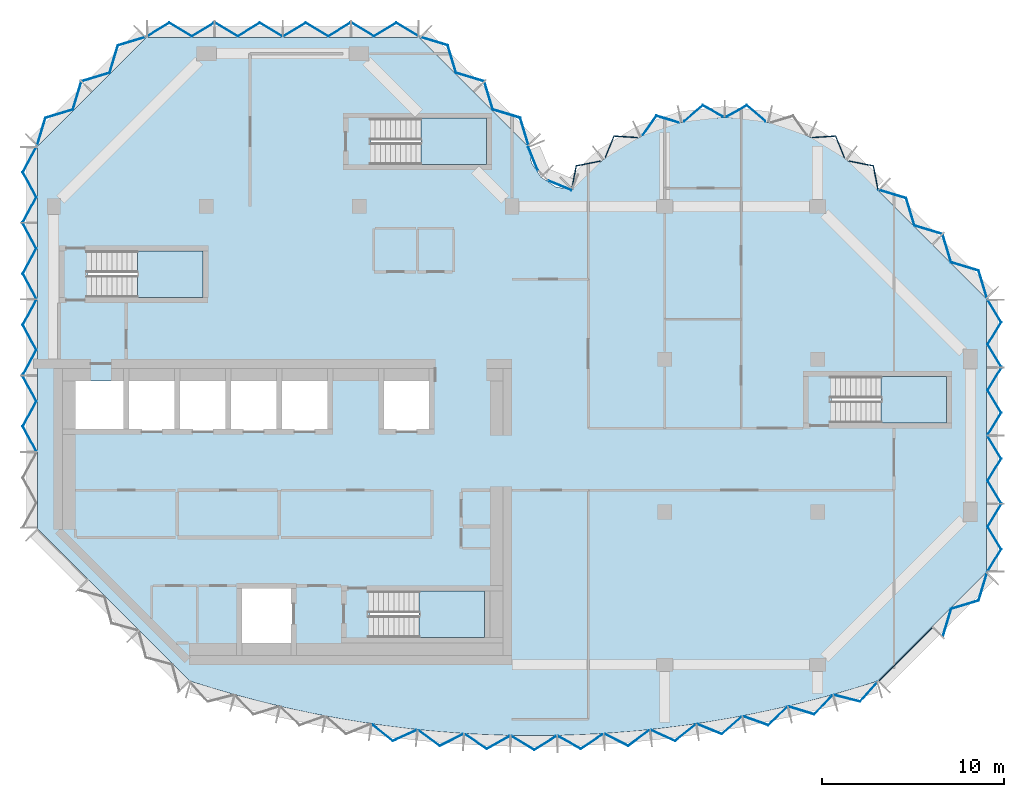
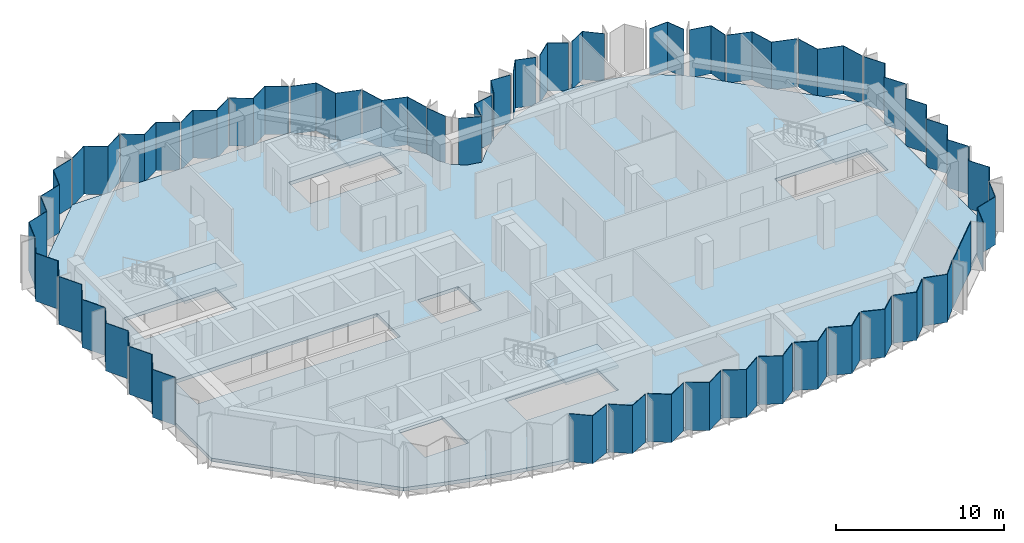
# One storey, part 3 of 9: 40 plates, 5 slabs, 14 elements without a shape of their own.
"""IFC4 building model written with IfcOpenShell, lengths in metres."""

from ifc_helpers import new_model, si_unit, direction, frame, origin, place, context, subcontext, project, spatial, polyline, outline, extrude, material, layer, layer_set, type_object, element, aggregate, save


model = new_model("IFC4")

# Units and contexts
model_context = context("Model", 3, precision=1e-05, world=origin(), true_north=direction((0.0, 1.0)))
body_context = subcontext(model_context, "Body", "Model", "MODEL_VIEW")
ifc_project = project(units=[si_unit("LENGTHUNIT", "METRE"), si_unit("AREAUNIT", "SQUARE_METRE"), si_unit("VOLUMEUNIT", "CUBIC_METRE"), si_unit("PLANEANGLEUNIT", "RADIAN"), si_unit("MASSUNIT", "GRAM", prefix="KILO")], contexts=[model_context])

# Site, building, storey
site_placement = place(None, origin())
site = spatial("IfcSite", under=ifc_project, at=site_placement, CompositionType="ELEMENT")
building_placement = place(site_placement, origin())
building = spatial("IfcBuilding", under=site, at=building_placement, Name="Brevane Broadcast Tower", CompositionType="ELEMENT")
storey_placement = place(building_placement, frame((0.0, 0.0, 240.89990234375)))
storey = spatial("IfcBuildingStorey", under=building, at=storey_placement, Name="L61", CompositionType="ELEMENT", Elevation=240.89990234375)

# Curtain wall, plates
ifc_material_1 = material(Name="Aluminium 6063-T6 bronze anodised", Category="aluminium")
curtain_wall_type = type_object("IfcCurtainWallType", Name="CW-1 curtain wall", PredefinedType="NOTDEFINED", material=ifc_material_1)
curtain_wall_1_placement = place(storey_placement, origin())
curtain_wall_1 = element("IfcCurtainWall", 1, at=curtain_wall_1_placement, inside=storey, type_object=curtain_wall_type, Name="CW-1 typical tilted unit L61 south bow", PredefinedType="NOTDEFINED")
ifc_material_2 = material(Name="Laminated glass bronze-tinted", Category="glass")
ifc_layer_1 = layer(ifc_material_2, 0.0400390625)
ifc_layer_set_1 = layer_set([ifc_layer_1], Name="CW tall glass panel 40")
plate_type = type_object("IfcPlateType", Name="CW tall glass panel 40", PredefinedType="CURTAIN_PANEL", material=ifc_layer_set_1)
plate_1_placement = place(storey_placement, frame((0.0, 0.0, -0.14990234375)))
plate_1 = element("IfcPlate", 2, at=plate_1_placement, type_object=plate_type, Name="CW-1 glass panel", PredefinedType="CURTAIN_PANEL", context=body_context, shape_type="SweptSolid", body=[
    extrude(outline(polyline([(17.534912109375, -3.273681640625), (17.528076171875, -3.319580078125), (18.63525390625, -4.211181640625), (19.926025390625, -3.623779296875), (19.930908203125, -3.57763671875), (18.64111328125, -4.164794921875), (17.534912109375, -3.273681640625)])), origin(), (0.0, 0.0, 1.0), 3.5),
])
plate_2_placement = place(storey_placement, frame((0.0, 0.0, -0.14990234375)))
plate_2 = element("IfcPlate", 3, at=plate_2_placement, type_object=plate_type, Name="CW-1 glass panel", PredefinedType="CURTAIN_PANEL", context=body_context, shape_type="SweptSolid", body=[
    extrude(outline(polyline([(20.07763671875, -3.593017578125), (20.07275390625, -3.638916015625), (21.21875, -4.48388671875), (22.4814453125, -3.843017578125), (22.484375, -3.796630859375), (21.22265625, -4.437255859375), (20.07763671875, -3.593017578125)])), origin(), (0.0, 0.0, 1.0), 3.5),
])
plate_3_placement = place(storey_placement, frame((0.0, 0.0, -0.14990234375)))
plate_3 = element("IfcPlate", 4, at=plate_3_placement, type_object=plate_type, Name="CW-1 glass panel", PredefinedType="CURTAIN_PANEL", context=body_context, shape_type="SweptSolid", body=[
    extrude(outline(polyline([(22.631591796875, -3.8056640625), (22.628662109375, -3.851806640625), (23.8115234375, -4.6484375), (25.043701171875, -3.955322265625), (25.044921875, -3.908935546875), (23.8134765625, -4.6015625), (22.631591796875, -3.8056640625)])), origin(), (0.0, 0.0, 1.0), 3.5),
])
plate_4_placement = place(storey_placement, frame((0.0, 0.0, -0.14990234375)))
plate_4 = element("IfcPlate", 5, at=plate_4_placement, type_object=plate_type, Name="CW-1 glass panel", PredefinedType="CURTAIN_PANEL", context=body_context, shape_type="SweptSolid", body=[
    extrude(outline(polyline([(25.1923828125, -3.91162109375), (25.19140625, -3.957763671875), (26.413818359375, -4.703369140625), (27.6181640625, -3.95849609375), (27.6171875, -3.912109375), (26.41357421875, -4.656494140625), (25.1923828125, -3.91162109375)])), origin(), (0.0, 0.0, 1.0), 3.5),
])
plate_5_placement = place(storey_placement, frame((0.0, 0.0, -0.14990234375)))
plate_5 = element("IfcPlate", 6, at=plate_5_placement, type_object=plate_type, Name="CW-1 glass panel", PredefinedType="CURTAIN_PANEL", context=body_context, shape_type="SweptSolid", body=[
    extrude(outline(polyline([(27.745849609375, -3.9091796875), (27.746826171875, -3.955810546875), (28.98388671875, -4.648681640625), (30.17138671875, -3.851806640625), (30.16845703125, -3.8056640625), (28.98193359375, -4.601806640625), (27.745849609375, -3.9091796875)])), origin(), (0.0, 0.0, 1.0), 3.5),
])
plate_6_placement = place(storey_placement, frame((0.0, 0.0, -0.14990234375)))
plate_6 = element("IfcPlate", 7, at=plate_6_placement, type_object=plate_type, Name="CW-1 glass panel", PredefinedType="CURTAIN_PANEL", context=body_context, shape_type="SweptSolid", body=[
    extrude(outline(polyline([(30.315673828125, -3.796630859375), (30.318603515625, -3.843017578125), (31.581298828125, -4.48388671875), (32.727294921875, -3.638916015625), (32.722412109375, -3.593017578125), (31.577392578125, -4.437255859375), (30.315673828125, -3.796630859375)])), origin(), (0.0, 0.0, 1.0), 3.5),
])
plate_7_placement = place(storey_placement, frame((0.0, 0.0, -0.14990234375)))
plate_7 = element("IfcPlate", 8, at=plate_7_placement, type_object=plate_type, Name="CW-1 glass panel", PredefinedType="CURTAIN_PANEL", context=body_context, shape_type="SweptSolid", body=[
    extrude(outline(polyline([(32.869140625, -3.57763671875), (32.8740234375, -3.623779296875), (34.164794921875, -4.211181640625), (35.27197265625, -3.319580078125), (35.26513671875, -3.273681640625), (34.158935546875, -4.164794921875), (32.869140625, -3.57763671875)])), origin(), (0.0, 0.0, 1.0), 3.5),
])
plate_8_placement = place(storey_placement, frame((0.0, 0.0, -0.14990234375)))
plate_8 = element("IfcPlate", 9, at=plate_8_placement, type_object=plate_type, Name="CW-1 glass panel", PredefinedType="CURTAIN_PANEL", context=body_context, shape_type="SweptSolid", body=[
    extrude(outline(polyline([(35.4111328125, -3.252197265625), (35.41796875, -3.298095703125), (36.73486328125, -3.830810546875), (37.80126953125, -2.894287109375), (37.79248046875, -2.8486328125), (36.726806640625, -3.78466796875), (35.4111328125, -3.252197265625)])), origin(), (0.0, 0.0, 1.0), 3.5),
])
plate_9_placement = place(storey_placement, frame((0.0, 0.0, -0.14990234375)))
plate_9 = element("IfcPlate", 10, at=plate_9_placement, type_object=plate_type, Name="CW-1 glass panel", PredefinedType="CURTAIN_PANEL", context=body_context, shape_type="SweptSolid", body=[
    extrude(outline(polyline([(37.9375, -2.82080078125), (37.946044921875, -2.866455078125), (39.28662109375, -3.343505859375), (40.310546875, -2.36376953125), (40.2998046875, -2.318603515625), (39.276611328125, -3.29736328125), (37.9375, -2.82080078125)])), origin(), (0.0, 0.0, 1.0), 3.5),
])
plate_10_placement = place(storey_placement, frame((0.0, 0.0, -0.14990234375)))
plate_10 = element("IfcPlate", 11, at=plate_10_placement, type_object=plate_type, Name="CW-1 glass panel", PredefinedType="CURTAIN_PANEL", context=body_context, shape_type="SweptSolid", body=[
    extrude(outline(polyline([(40.443603515625, -2.284423828125), (40.4541015625, -2.32958984375), (41.81591796875, -2.749755859375), (42.79541015625, -1.728759765625), (42.782958984375, -1.68408203125), (41.803955078125, -2.7041015625), (40.443603515625, -2.284423828125)])), origin(), (0.0, 0.0, 1.0), 3.5),
])
plate_11_placement = place(storey_placement, frame((0.0, 0.0, -0.14990234375)))
plate_11 = element("IfcPlate", 12, at=plate_11_placement, type_object=plate_type, Name="CW-1 glass panel", PredefinedType="CURTAIN_PANEL", context=body_context, shape_type="SweptSolid", body=[
    extrude(outline(polyline([(42.925048828125, -1.64404296875), (42.9375, -1.6884765625), (44.336669921875, -2.044921875), (45.287841796875, -0.980712890625), (45.2744140625, -0.935791015625), (44.322998046875, -2.000244140625), (42.925048828125, -1.64404296875)])), origin(), (0.0, 0.0, 1.0), 3.5),
])
aggregate(curtain_wall_1, [plate_1, plate_2, plate_3, plate_4, plate_5, plate_6, plate_7, plate_8, plate_9, plate_10, plate_11])

curtain_wall_2_placement = place(storey_placement, origin())
curtain_wall_2 = element("IfcCurtainWall", 13, at=curtain_wall_2_placement, inside=storey, type_object=curtain_wall_type, Name="CW-1 typical tilted unit L61 south-east chamfer", PredefinedType="NOTDEFINED")
plate_12_placement = place(storey_placement, frame((0.0, 0.0, -0.14990234375)))
plate_12 = element("IfcPlate", 14, at=plate_12_placement, type_object=plate_type, Name="CW-1 glass panel", PredefinedType="CURTAIN_PANEL", context=body_context, shape_type="SweptSolid", body=[
    extrude(outline(polyline([(45.345947265625, -0.896484375), (48.29638671875, 2.053955078125), (48.32470703125, 2.02587890625), (45.374267578125, -0.9248046875), (45.345947265625, -0.896484375)])), origin(), (0.0, 0.0, 1.0), 3.5),
])
plate_13_placement = place(storey_placement, frame((0.0, 0.0, -0.14990234375)))
plate_13 = element("IfcPlate", 15, at=plate_13_placement, type_object=plate_type, Name="CW-1 glass panel", PredefinedType="CURTAIN_PANEL", context=body_context, shape_type="SweptSolid", body=[
    extrude(outline(polyline([(48.870361328125, 1.5791015625), (48.902587890625, 1.547119140625), (49.359619140625, 3.056884765625), (50.869384765625, 3.513916015625), (51.32666015625, 5.02392578125), (51.294677734375, 5.055908203125), (50.83740234375, 3.546142578125), (49.32763671875, 3.0888671875), (48.870361328125, 1.5791015625)])), origin(), (0.0, 0.0, 1.0), 3.5),
])
aggregate(curtain_wall_2, [plate_12, plate_13])

curtain_wall_3_placement = place(storey_placement, origin())
curtain_wall_3 = element("IfcCurtainWall", 16, at=curtain_wall_3_placement, inside=storey, type_object=curtain_wall_type, Name="CW-1 typical tilted unit L61 east end", PredefinedType="NOTDEFINED")
plate_14_placement = place(storey_placement, frame((0.0, 0.0, -0.14990234375)))
plate_14 = element("IfcPlate", 17, at=plate_14_placement, type_object=plate_type, Name="CW-1 glass panel", PredefinedType="CURTAIN_PANEL", context=body_context, shape_type="SweptSolid", body=[
    extrude(outline(polyline([(51.32666015625, 5.135009765625), (51.373291015625, 5.135009765625), (52.117919921875, 6.36181640625), (51.373291015625, 7.58837890625), (52.117919921875, 8.81494140625), (52.071044921875, 8.81494140625), (51.32666015625, 7.58837890625), (52.071044921875, 6.36181640625), (51.32666015625, 5.135009765625)])), origin(), (0.0, 0.0, 1.0), 3.5),
])
plate_15_placement = place(storey_placement, frame((0.0, 0.0, -0.14990234375)))
plate_15 = element("IfcPlate", 18, at=plate_15_placement, type_object=plate_type, Name="CW-1 glass panel", PredefinedType="CURTAIN_PANEL", context=body_context, shape_type="SweptSolid", body=[
    extrude(outline(polyline([(52.071044921875, 8.885009765625), (52.117919921875, 8.885009765625), (51.373291015625, 10.11181640625), (52.117919921875, 11.33837890625), (51.373291015625, 12.56494140625), (51.32666015625, 12.56494140625), (52.071044921875, 11.33837890625), (51.32666015625, 10.11181640625), (52.071044921875, 8.885009765625)])), origin(), (0.0, 0.0, 1.0), 3.5),
])
plate_16_placement = place(storey_placement, frame((0.0, 0.0, -0.14990234375)))
plate_16 = element("IfcPlate", 19, at=plate_16_placement, type_object=plate_type, Name="CW-1 glass panel", PredefinedType="CURTAIN_PANEL", context=body_context, shape_type="SweptSolid", body=[
    extrude(outline(polyline([(51.32666015625, 12.635009765625), (51.373291015625, 12.635009765625), (52.117919921875, 13.86181640625), (51.373291015625, 15.08837890625), (52.117919921875, 16.31494140625), (52.071044921875, 16.31494140625), (51.32666015625, 15.08837890625), (52.071044921875, 13.86181640625), (51.32666015625, 12.635009765625)])), origin(), (0.0, 0.0, 1.0), 3.5),
])
plate_17_placement = place(storey_placement, frame((0.0, 0.0, -0.14990234375)))
plate_17 = element("IfcPlate", 20, at=plate_17_placement, type_object=plate_type, Name="CW-1 glass panel", PredefinedType="CURTAIN_PANEL", context=body_context, shape_type="SweptSolid", body=[
    extrude(outline(polyline([(52.071044921875, 16.385009765625), (52.117919921875, 16.385009765625), (51.373291015625, 17.61181640625), (52.117919921875, 18.83837890625), (51.373291015625, 20.06494140625), (51.32666015625, 20.06494140625), (52.071044921875, 18.83837890625), (51.32666015625, 17.61181640625), (52.071044921875, 16.385009765625)])), origin(), (0.0, 0.0, 1.0), 3.5),
])
aggregate(curtain_wall_3, [plate_14, plate_15, plate_16, plate_17])

curtain_wall_4_placement = place(storey_placement, origin())
curtain_wall_4 = element("IfcCurtainWall", 21, at=curtain_wall_4_placement, inside=storey, type_object=curtain_wall_type, Name="CW-1 typical tilted unit L61 north-east chamfer", PredefinedType="NOTDEFINED")
plate_18_placement = place(storey_placement, frame((0.0, 0.0, -0.14990234375)))
plate_18 = element("IfcPlate", 22, at=plate_18_placement, type_object=plate_type, Name="CW-1 glass panel", PredefinedType="CURTAIN_PANEL", context=body_context, shape_type="SweptSolid", body=[
    extrude(outline(polyline([(51.294677734375, 20.14404296875), (51.32666015625, 20.176025390625), (50.869384765625, 21.68603515625), (49.359619140625, 22.14306640625), (48.902587890625, 23.653076171875), (48.870361328125, 23.620849609375), (49.32763671875, 22.111083984375), (50.83740234375, 21.65380859375), (51.294677734375, 20.14404296875)])), origin(), (0.0, 0.0, 1.0), 3.5),
])
plate_19_placement = place(storey_placement, frame((0.0, 0.0, -0.14990234375)))
plate_19 = element("IfcPlate", 23, at=plate_19_placement, type_object=plate_type, Name="CW-1 glass panel", PredefinedType="CURTAIN_PANEL", context=body_context, shape_type="SweptSolid", body=[
    extrude(outline(polyline([(48.82080078125, 23.67041015625), (48.85302734375, 23.702392578125), (47.343017578125, 24.15966796875), (46.885986328125, 25.66943359375), (45.376220703125, 26.126708984375), (45.343994140625, 26.094482421875), (46.85400390625, 25.637451171875), (47.31103515625, 24.127685546875), (48.82080078125, 23.67041015625)])), origin(), (0.0, 0.0, 1.0), 3.5),
])
aggregate(curtain_wall_4, [plate_18, plate_19])

curtain_wall_5_placement = place(storey_placement, origin())
curtain_wall_5 = element("IfcCurtainWall", 24, at=curtain_wall_5_placement, inside=storey, type_object=curtain_wall_type, Name="CW-1 typical tilted unit L61 east bow", PredefinedType="NOTDEFINED")
plate_20_placement = place(storey_placement, frame((0.0, 0.0, -0.14990234375)))
plate_20 = element("IfcPlate", 25, at=plate_20_placement, type_object=plate_type, Name="CW-1 glass panel", PredefinedType="CURTAIN_PANEL", context=body_context, shape_type="SweptSolid", body=[
    extrude(outline(polyline([(45.2939453125, 26.14404296875), (45.327880859375, 26.17919921875), (45.086181640625, 27.447265625), (43.738525390625, 27.71142578125), (43.7109375, 27.67626953125), (45.052001953125, 27.4130859375), (45.2939453125, 26.14404296875)])), origin(), (0.0, 0.0, 1.0), 3.5),
])
plate_21_placement = place(storey_placement, frame((0.0, 0.0, -0.14990234375)))
plate_21 = element("IfcPlate", 26, at=plate_21_placement, type_object=plate_type, Name="CW-1 glass panel", PredefinedType="CURTAIN_PANEL", context=body_context, shape_type="SweptSolid", body=[
    extrude(outline(polyline([(43.45703125, 27.8759765625), (43.4853515625, 27.912109375), (43.00390625, 29.089111328125), (41.710693359375, 29.006591796875), (41.69091796875, 28.96533203125), (42.977783203125, 29.04736328125), (43.45703125, 27.8759765625)])), origin(), (0.0, 0.0, 1.0), 3.5),
])
plate_22_placement = place(storey_placement, frame((0.0, 0.0, -0.14990234375)))
plate_22 = element("IfcPlate", 27, at=plate_22_placement, type_object=plate_type, Name="CW-1 glass panel", PredefinedType="CURTAIN_PANEL", context=body_context, shape_type="SweptSolid", body=[
    extrude(outline(polyline([(39.125, 29.859619140625), (39.13525390625, 29.903564453125), (38.116943359375, 30.779296875), (37.008056640625, 30.15869140625), (37.008056640625, 30.11279296875), (38.112060546875, 30.730712890625), (39.125, 29.859619140625)])), origin(), (0.0, 0.0, 1.0), 3.5),
])
plate_23_placement = place(storey_placement, frame((0.0, 0.0, -0.14990234375)))
plate_23 = element("IfcPlate", 28, at=plate_23_placement, type_object=plate_type, Name="CW-1 glass panel", PredefinedType="CURTAIN_PANEL", context=body_context, shape_type="SweptSolid", body=[
    extrude(outline(polyline([(36.7919921875, 30.11279296875), (36.7919921875, 30.15869140625), (35.68310546875, 30.779296875), (34.664794921875, 29.903564453125), (34.6748046875, 29.859619140625), (35.68798828125, 30.730712890625), (36.7919921875, 30.11279296875)])), origin(), (0.0, 0.0, 1.0), 3.5),
])
plate_24_placement = place(storey_placement, frame((0.0, 0.0, -0.14990234375)))
plate_24 = element("IfcPlate", 29, at=plate_24_placement, type_object=plate_type, Name="CW-1 glass panel", PredefinedType="CURTAIN_PANEL", context=body_context, shape_type="SweptSolid", body=[
    extrude(outline(polyline([(34.359619140625, 29.78857421875), (34.349365234375, 29.83349609375), (33.132080078125, 30.20166015625), (32.381103515625, 29.1455078125), (32.400634765625, 29.104248046875), (33.148193359375, 30.155029296875), (34.359619140625, 29.78857421875)])), origin(), (0.0, 0.0, 1.0), 3.5),
])
plate_25_placement = place(storey_placement, frame((0.0, 0.0, -0.14990234375)))
plate_25 = element("IfcPlate", 30, at=plate_25_placement, type_object=plate_type, Name="CW-1 glass panel", PredefinedType="CURTAIN_PANEL", context=body_context, shape_type="SweptSolid", body=[
    extrude(outline(polyline([(32.10888671875, 28.96533203125), (32.08935546875, 29.006591796875), (30.7958984375, 29.089111328125), (30.314697265625, 27.912109375), (30.343017578125, 27.8759765625), (30.822265625, 29.04736328125), (32.10888671875, 28.96533203125)])), origin(), (0.0, 0.0, 1.0), 3.5),
])
plate_26_placement = place(storey_placement, frame((0.0, 0.0, -0.14990234375)))
plate_26 = element("IfcPlate", 31, at=plate_26_placement, type_object=plate_type, Name="CW-1 glass panel", PredefinedType="CURTAIN_PANEL", context=body_context, shape_type="SweptSolid", body=[
    extrude(outline(polyline([(30.089111328125, 27.67626953125), (30.0615234375, 27.71142578125), (28.7138671875, 27.447265625), (28.471923828125, 26.17919921875), (28.506103515625, 26.14404296875), (28.748046875, 27.4130859375), (30.089111328125, 27.67626953125)])), origin(), (0.0, 0.0, 1.0), 3.5),
])
aggregate(curtain_wall_5, [plate_20, plate_21, plate_22, plate_23, plate_24, plate_25, plate_26])

curtain_wall_6_placement = place(storey_placement, origin())
curtain_wall_6 = element("IfcCurtainWall", 32, at=curtain_wall_6_placement, inside=storey, type_object=curtain_wall_type, Name="CW-1 typical tilted unit L61 inner corner", PredefinedType="NOTDEFINED")
plate_27_placement = place(storey_placement, frame((0.0, 0.0, -0.14990234375)))
plate_27 = element("IfcPlate", 33, at=plate_27_placement, type_object=plate_type, Name="CW-1 glass panel", PredefinedType="CURTAIN_PANEL", context=body_context, shape_type="SweptSolid", body=[
    extrude(outline(polyline([(28.45166015625, 26.07470703125), (28.466796875, 26.111572265625), (27.2021484375, 26.635498046875), (27.17138671875, 26.60498046875), (28.45166015625, 26.07470703125)])), origin(), (0.0, 0.0, 1.0), 3.5),
])
plate_28_placement = place(storey_placement, frame((0.0, 0.0, -0.14990234375)))
plate_28 = element("IfcPlate", 34, at=plate_28_placement, type_object=plate_type, Name="CW-1 glass panel", PredefinedType="CURTAIN_PANEL", context=body_context, shape_type="SweptSolid", body=[
    extrude(outline(polyline([(26.60498046875, 27.17138671875), (26.635498046875, 27.2021484375), (26.111572265625, 28.466796875), (26.07470703125, 28.45166015625), (26.60498046875, 27.17138671875)])), origin(), (0.0, 0.0, 1.0), 3.5),
])
aggregate(curtain_wall_6, [plate_27, plate_28])

curtain_wall_7_placement = place(storey_placement, origin())
curtain_wall_7 = element("IfcCurtainWall", 35, at=curtain_wall_7_placement, inside=storey, type_object=curtain_wall_type, Name="CW-1 typical tilted unit L61 north arm north-east chamfer", PredefinedType="NOTDEFINED")
plate_29_placement = place(storey_placement, frame((0.0, 0.0, -0.14990234375)))
plate_29 = element("IfcPlate", 36, at=plate_29_placement, type_object=plate_type, Name="CW-1 glass panel", PredefinedType="CURTAIN_PANEL", context=body_context, shape_type="SweptSolid", body=[
    extrude(outline(polyline([(26.094482421875, 28.544189453125), (26.126708984375, 28.576171875), (25.66943359375, 30.0859375), (24.15966796875, 30.543212890625), (23.702392578125, 32.052978515625), (23.67041015625, 32.02099609375), (24.127685546875, 30.510986328125), (25.637451171875, 30.053955078125), (26.094482421875, 28.544189453125)])), origin(), (0.0, 0.0, 1.0), 3.5),
])
plate_30_placement = place(storey_placement, frame((0.0, 0.0, -0.14990234375)))
plate_30 = element("IfcPlate", 37, at=plate_30_placement, type_object=plate_type, Name="CW-1 glass panel", PredefinedType="CURTAIN_PANEL", context=body_context, shape_type="SweptSolid", body=[
    extrude(outline(polyline([(23.620849609375, 32.0703125), (23.653076171875, 32.1025390625), (22.14306640625, 32.5595703125), (21.68603515625, 34.069580078125), (20.176025390625, 34.526611328125), (20.14404296875, 34.49462890625), (21.65380859375, 34.037353515625), (22.111083984375, 32.527587890625), (23.620849609375, 32.0703125)])), origin(), (0.0, 0.0, 1.0), 3.5),
])
aggregate(curtain_wall_7, [plate_29, plate_30])

curtain_wall_8_placement = place(storey_placement, origin())
curtain_wall_8 = element("IfcCurtainWall", 38, at=curtain_wall_8_placement, inside=storey, type_object=curtain_wall_type, Name="CW-1 typical tilted unit L61 north end", PredefinedType="NOTDEFINED")
plate_31_placement = place(storey_placement, frame((0.0, 0.0, -0.14990234375)))
plate_31 = element("IfcPlate", 39, at=plate_31_placement, type_object=plate_type, Name="CW-1 glass panel", PredefinedType="CURTAIN_PANEL", context=body_context, shape_type="SweptSolid", body=[
    extrude(outline(polyline([(20.06494140625, 34.526611328125), (20.06494140625, 34.573486328125), (18.83837890625, 35.31787109375), (17.61181640625, 34.573486328125), (16.385009765625, 35.31787109375), (16.385009765625, 35.27099609375), (17.61181640625, 34.526611328125), (18.83837890625, 35.27099609375), (20.06494140625, 34.526611328125)])), origin(), (0.0, 0.0, 1.0), 3.5),
])
plate_32_placement = place(storey_placement, frame((0.0, 0.0, -0.14990234375)))
plate_32 = element("IfcPlate", 40, at=plate_32_placement, type_object=plate_type, Name="CW-1 glass panel", PredefinedType="CURTAIN_PANEL", context=body_context, shape_type="SweptSolid", body=[
    extrude(outline(polyline([(16.31494140625, 35.27099609375), (16.31494140625, 35.31787109375), (15.08837890625, 34.573486328125), (13.86181640625, 35.31787109375), (12.635009765625, 34.573486328125), (12.635009765625, 34.526611328125), (13.86181640625, 35.27099609375), (15.08837890625, 34.526611328125), (16.31494140625, 35.27099609375)])), origin(), (0.0, 0.0, 1.0), 3.5),
])
plate_33_placement = place(storey_placement, frame((0.0, 0.0, -0.14990234375)))
plate_33 = element("IfcPlate", 41, at=plate_33_placement, type_object=plate_type, Name="CW-1 glass panel", PredefinedType="CURTAIN_PANEL", context=body_context, shape_type="SweptSolid", body=[
    extrude(outline(polyline([(12.56494140625, 34.526611328125), (12.56494140625, 34.573486328125), (11.33837890625, 35.31787109375), (10.11181640625, 34.573486328125), (8.885009765625, 35.31787109375), (8.885009765625, 35.27099609375), (10.11181640625, 34.526611328125), (11.33837890625, 35.27099609375), (12.56494140625, 34.526611328125)])), origin(), (0.0, 0.0, 1.0), 3.5),
])
plate_34_placement = place(storey_placement, frame((0.0, 0.0, -0.14990234375)))
plate_34 = element("IfcPlate", 42, at=plate_34_placement, type_object=plate_type, Name="CW-1 glass panel", PredefinedType="CURTAIN_PANEL", context=body_context, shape_type="SweptSolid", body=[
    extrude(outline(polyline([(8.81494140625, 35.27099609375), (8.81494140625, 35.31787109375), (7.58837890625, 34.573486328125), (6.36181640625, 35.31787109375), (5.135009765625, 34.573486328125), (5.135009765625, 34.526611328125), (6.36181640625, 35.27099609375), (7.58837890625, 34.526611328125), (8.81494140625, 35.27099609375)])), origin(), (0.0, 0.0, 1.0), 3.5),
])
aggregate(curtain_wall_8, [plate_31, plate_32, plate_33, plate_34])

curtain_wall_9_placement = place(storey_placement, origin())
curtain_wall_9 = element("IfcCurtainWall", 43, at=curtain_wall_9_placement, inside=storey, type_object=curtain_wall_type, Name="CW-1 typical tilted unit L61 north-west chamfer", PredefinedType="NOTDEFINED")
plate_35_placement = place(storey_placement, frame((0.0, 0.0, -0.14990234375)))
plate_35 = element("IfcPlate", 44, at=plate_35_placement, type_object=plate_type, Name="CW-1 glass panel", PredefinedType="CURTAIN_PANEL", context=body_context, shape_type="SweptSolid", body=[
    extrude(outline(polyline([(5.055908203125, 34.49462890625), (5.02392578125, 34.526611328125), (3.513916015625, 34.069580078125), (3.056884765625, 32.5595703125), (1.547119140625, 32.1025390625), (1.5791015625, 32.0703125), (3.0888671875, 32.527587890625), (3.546142578125, 34.037353515625), (5.055908203125, 34.49462890625)])), origin(), (0.0, 0.0, 1.0), 3.5),
])
plate_36_placement = place(storey_placement, frame((0.0, 0.0, -0.14990234375)))
plate_36 = element("IfcPlate", 45, at=plate_36_placement, type_object=plate_type, Name="CW-1 glass panel", PredefinedType="CURTAIN_PANEL", context=body_context, shape_type="SweptSolid", body=[
    extrude(outline(polyline([(1.529541015625, 32.02099609375), (1.49755859375, 32.052978515625), (1.040283203125, 30.543212890625), (-0.469482421875, 30.0859375), (-0.926513671875, 28.576171875), (-0.89453125, 28.544189453125), (-0.4375, 30.053955078125), (1.072509765625, 30.510986328125), (1.529541015625, 32.02099609375)])), origin(), (0.0, 0.0, 1.0), 3.5),
])
aggregate(curtain_wall_9, [plate_35, plate_36])

curtain_wall_10_placement = place(storey_placement, origin())
curtain_wall_10 = element("IfcCurtainWall", 46, at=curtain_wall_10_placement, inside=storey, type_object=curtain_wall_type, Name="CW-1 typical tilted unit L61 west face", PredefinedType="NOTDEFINED")
plate_37_placement = place(storey_placement, frame((0.0, 0.0, -0.14990234375)))
plate_37 = element("IfcPlate", 47, at=plate_37_placement, type_object=plate_type, Name="CW-1 glass panel", PredefinedType="CURTAIN_PANEL", context=body_context, shape_type="SweptSolid", body=[
    extrude(outline(polyline([(-0.92724609375, 28.465087890625), (-0.97265625, 28.465087890625), (-1.717041015625, 27.08837890625), (-0.97265625, 25.711669921875), (-1.717041015625, 24.3349609375), (-1.671630859375, 24.3349609375), (-0.92724609375, 25.711669921875), (-1.671630859375, 27.08837890625), (-0.92724609375, 28.465087890625)])), origin(), (0.0, 0.0, 1.0), 3.5),
])
plate_38_placement = place(storey_placement, frame((0.0, 0.0, -0.14990234375)))
plate_38 = element("IfcPlate", 48, at=plate_38_placement, type_object=plate_type, Name="CW-1 glass panel", PredefinedType="CURTAIN_PANEL", context=body_context, shape_type="SweptSolid", body=[
    extrude(outline(polyline([(-1.671630859375, 24.264892578125), (-1.717041015625, 24.264892578125), (-0.97265625, 22.88818359375), (-1.717041015625, 21.51171875), (-0.97265625, 20.135009765625), (-0.92724609375, 20.135009765625), (-1.671630859375, 21.51171875), (-0.92724609375, 22.88818359375), (-1.671630859375, 24.264892578125)])), origin(), (0.0, 0.0, 1.0), 3.5),
])
plate_39_placement = place(storey_placement, frame((0.0, 0.0, -0.14990234375)))
plate_39 = element("IfcPlate", 49, at=plate_39_placement, type_object=plate_type, Name="CW-1 glass panel", PredefinedType="CURTAIN_PANEL", context=body_context, shape_type="SweptSolid", body=[
    extrude(outline(polyline([(-0.92724609375, 20.06494140625), (-0.97265625, 20.06494140625), (-1.717041015625, 18.688232421875), (-0.97265625, 17.311767578125), (-1.717041015625, 15.93505859375), (-1.671630859375, 15.93505859375), (-0.92724609375, 17.311767578125), (-1.671630859375, 18.688232421875), (-0.92724609375, 20.06494140625)])), origin(), (0.0, 0.0, 1.0), 3.5),
])
plate_40_placement = place(storey_placement, frame((0.0, 0.0, -0.14990234375)))
plate_40 = element("IfcPlate", 50, at=plate_40_placement, type_object=plate_type, Name="CW-1 glass panel", PredefinedType="CURTAIN_PANEL", context=body_context, shape_type="SweptSolid", body=[
    extrude(outline(polyline([(-1.671630859375, 15.864990234375), (-1.717041015625, 15.864990234375), (-0.97265625, 14.48828125), (-1.717041015625, 13.11181640625), (-0.97265625, 11.735107421875), (-0.92724609375, 11.735107421875), (-1.671630859375, 13.11181640625), (-0.92724609375, 14.48828125), (-1.671630859375, 15.864990234375)])), origin(), (0.0, 0.0, 1.0), 3.5),
])
aggregate(curtain_wall_10, [plate_37, plate_38, plate_39, plate_40])

# Stair, slab
ifc_material_3 = material(Name="Concrete C50/60", Category="concrete")
stair_type = type_object("IfcStairType", Name="Exit stair 22 risers", PredefinedType="HALF_TURN_STAIR", material=ifc_material_3)
stair_1_placement = place(storey_placement, origin())
stair_1 = element("IfcStair", 51, at=stair_1_placement, inside=storey, type_object=stair_type, Name="L61 Exit stair ST-1", PredefinedType="HALF_TURN_STAIR")
ifc_layer_2 = layer(ifc_material_3, 0.199951171875)
ifc_layer_set_2 = layer_set([ifc_layer_2], Name="Exit stair landing")
slab_type_1 = type_object("IfcSlabType", Name="Exit stair landing", PredefinedType="LANDING", material=ifc_layer_set_2)
slab_1_placement = place(storey_placement, frame((0.0, 0.0, 1.60009765625)))
slab_1 = element("IfcSlab", 52, at=slab_1_placement, type_object=slab_type_1, Name="ST-1 landing 1", PredefinedType="LANDING", context=body_context, shape_type="SweptSolid", body=[
    extrude(outline(polyline([(4.60009765625, 20.199951171875), (8.199951171875, 20.199951171875), (8.199951171875, 22.75), (4.60009765625, 22.75), (4.60009765625, 20.199951171875)])), origin(), (0.0, 0.0, 1.0), 0.199951171875),
])
aggregate(stair_1, [slab_1])

stair_2_placement = place(storey_placement, origin())
stair_2 = element("IfcStair", 53, at=stair_2_placement, inside=storey, type_object=stair_type, Name="L61 Exit stair ST-2", PredefinedType="HALF_TURN_STAIR")
slab_2_placement = place(storey_placement, frame((0.0, 0.0, 1.60009765625)))
slab_2 = element("IfcSlab", 54, at=slab_2_placement, type_object=slab_type_1, Name="ST-2 landing 1", PredefinedType="LANDING", context=body_context, shape_type="SweptSolid", body=[
    extrude(outline(polyline([(20.10009765625, 1.5), (23.699951171875, 1.5), (23.699951171875, 4.050048828125), (20.10009765625, 4.050048828125), (20.10009765625, 1.5)])), origin(), (0.0, 0.0, 1.0), 0.199951171875),
])
aggregate(stair_2, [slab_2])

stair_3_placement = place(storey_placement, origin())
stair_3 = element("IfcStair", 55, at=stair_3_placement, inside=storey, type_object=stair_type, Name="L61 Exit stair ST-3", PredefinedType="HALF_TURN_STAIR")
slab_3_placement = place(storey_placement, frame((0.0, 0.0, 1.60009765625)))
slab_3 = element("IfcSlab", 56, at=slab_3_placement, type_object=slab_type_1, Name="ST-3 landing 1", PredefinedType="LANDING", context=body_context, shape_type="SweptSolid", body=[
    extrude(outline(polyline([(20.199951171875, 27.5), (23.800048828125, 27.5), (23.800048828125, 30.050048828125), (20.199951171875, 30.050048828125), (20.199951171875, 27.5)])), origin(), (0.0, 0.0, 1.0), 0.199951171875),
])
aggregate(stair_3, [slab_3])

stair_4_placement = place(storey_placement, origin())
stair_4 = element("IfcStair", 57, at=stair_4_placement, inside=storey, type_object=stair_type, Name="L61 Exit stair ST-4", PredefinedType="HALF_TURN_STAIR")
slab_4_placement = place(storey_placement, frame((0.0, 0.0, 1.60009765625)))
slab_4 = element("IfcSlab", 58, at=slab_4_placement, type_object=slab_type_1, Name="ST-4 landing 1", PredefinedType="LANDING", context=body_context, shape_type="SweptSolid", body=[
    extrude(outline(polyline([(45.5, 13.300048828125), (49.10009765625, 13.300048828125), (49.10009765625, 15.85009765625), (45.5, 15.85009765625), (45.5, 13.300048828125)])), origin(), (0.0, 0.0, 1.0), 0.199951171875),
])
aggregate(stair_4, [slab_4])

# Slab
ifc_material_4 = material(Name="Concrete C40/50", Category="concrete")
ifc_layer_3 = layer(ifc_material_4, 0.25)
ifc_layer_set_3 = layer_set([ifc_layer_3], Name="RC FLOOR SLAB 250 C40/50")
slab_type_2 = type_object("IfcSlabType", Name="RC FLOOR SLAB 250 C40/50", PredefinedType="FLOOR", material=ifc_layer_set_3)
slab_5_placement = place(storey_placement, frame((0.0, 0.0, -0.25)))
element("IfcSlab", 59, at=slab_5_placement, inside=storey, type_object=slab_type_2, Name="SL250 L61", PredefinedType="FLOOR", context=body_context, shape_type="SweptSolid", body=[
    extrude(outline(polyline([(-0.89990234375, 7.5), (-0.89990234375, 28.5), (5.10009765625, 34.5), (20.10009765625, 34.5), (26.10009765625, 28.5), (26.28271484375, 27.58154296875), (26.802978515625, 26.802978515625), (27.58154296875, 26.28271484375), (28.5, 26.10009765625), (29.431396484375, 27.10888671875), (30.48291015625, 27.99169921875), (31.6376953125, 28.734130859375), (32.877197265625, 29.324462890625), (34.181640625, 29.7529296875), (35.52978515625, 30.012939453125), (36.89990234375, 30.10009765625), (38.270263671875, 30.012939453125), (39.618408203125, 29.7529296875), (40.922607421875, 29.324462890625), (42.162353515625, 28.734130859375), (43.317138671875, 27.99169921875), (44.36865234375, 27.10888671875), (45.300048828125, 26.10009765625), (51.300048828125, 20.10009765625), (51.300048828125, 5.10009765625), (45.300048828125, -0.89990234375), (43.990234375, -1.310302734375), (42.671630859375, -1.691162109375), (41.3447265625, -2.0419921875), (40.01025390625, -2.36328125), (38.6689453125, -2.654052734375), (37.3212890625, -2.9150390625), (35.96826171875, -3.145263671875), (34.6103515625, -3.34521484375), (33.248291015625, -3.5146484375), (31.8828125, -3.6533203125), (30.5146484375, -3.76123046875), (29.144287109375, -3.83837890625), (27.7724609375, -3.884521484375), (26.39990234375, -3.89990234375), (25.027587890625, -3.884521484375), (23.65576171875, -3.83837890625), (22.285400390625, -3.76123046875), (20.917236328125, -3.6533203125), (19.5517578125, -3.5146484375), (18.189697265625, -3.34521484375), (16.831787109375, -3.145263671875), (15.478759765625, -2.9150390625), (14.131103515625, -2.654052734375), (12.789794921875, -2.36328125), (11.455322265625, -2.0419921875), (10.12841796875, -1.691162109375), (8.809814453125, -1.310302734375), (7.5, -0.89990234375), (-0.89990234375, 7.5)]), holes=[polyline([(13.199951171875, 4.39990234375), (10.199951171875, 4.39990234375), (10.199951171875, 1.199951171875), (13.199951171875, 1.199951171875), (13.199951171875, 4.39990234375)]), polyline([(4.0, 15.60009765625), (1.199951171875, 15.60009765625), (1.199951171875, 12.800048828125), (4.0, 12.800048828125), (6.800048828125, 12.800048828125), (9.60009765625, 12.800048828125), (12.39990234375, 12.800048828125), (15.199951171875, 12.800048828125), (15.199951171875, 15.60009765625), (12.39990234375, 15.60009765625), (9.60009765625, 15.60009765625), (6.800048828125, 15.60009765625), (4.0, 15.60009765625)]), polyline([(1.860107421875, 22.75), (1.860107421875, 20.199951171875), (8.199951171875, 20.199951171875), (8.199951171875, 22.75), (1.860107421875, 22.75)]), polyline([(23.699951171875, 4.050048828125), (17.360107421875, 4.050048828125), (17.360107421875, 1.5), (23.699951171875, 1.5), (23.699951171875, 4.050048828125)]), polyline([(20.800048828125, 15.60009765625), (18.0, 15.60009765625), (18.0, 12.800048828125), (20.800048828125, 12.800048828125), (20.800048828125, 15.60009765625)]), polyline([(49.10009765625, 15.85009765625), (42.760009765625, 15.85009765625), (42.760009765625, 13.300048828125), (49.10009765625, 13.300048828125), (49.10009765625, 15.85009765625)]), polyline([(23.800048828125, 30.050048828125), (17.4599609375, 30.050048828125), (17.4599609375, 27.5), (23.800048828125, 27.5), (23.800048828125, 30.050048828125)])]), origin(), (0.0, 0.0, 1.0), 0.25),
])

save(model, "model.ifc")
